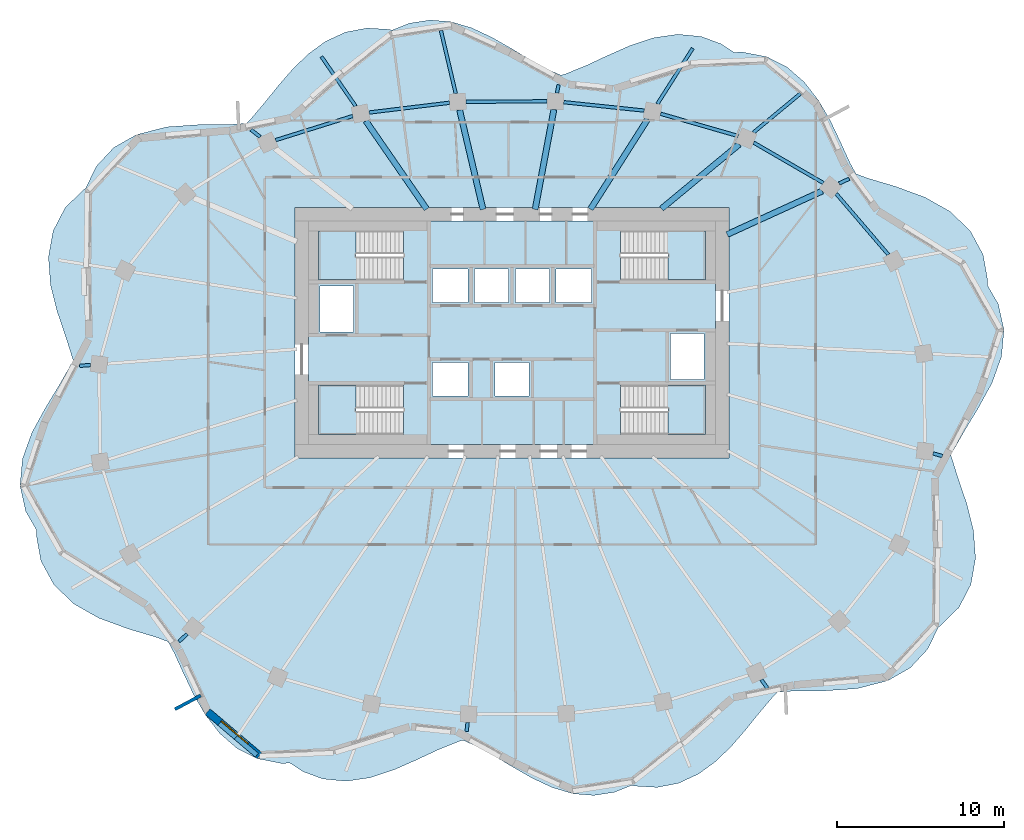
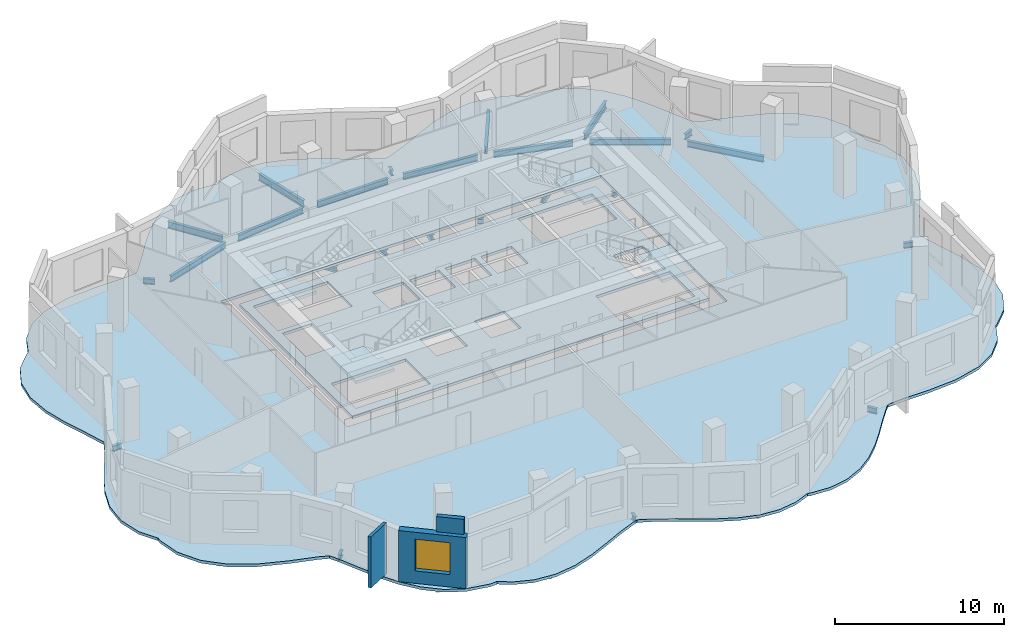
# One storey, part 2 of 9: 25 beams, 6 slabs, 3 walls, 1 window, 1 opening, 4 elements without a shape of their own.
"""IFC4 building model written with IfcOpenShell, lengths in metres."""

from ifc_helpers import new_model, si_unit, direction, frame, frame_2d, origin, origin_2d, place, context, subcontext, project, spatial, polyline, rectangle, i_section, outline, extrude, material, layer, layer_set, material_profile, profile_set, type_object, element, fill, aggregate, save


model = new_model("IFC4")

# Units and contexts
model_context = context("Model", 3, precision=1e-05, world=origin(), true_north=direction((0.0, 1.0)))
body_context = subcontext(model_context, "Body", "Model", "MODEL_VIEW")
ifc_project = project(units=[si_unit("LENGTHUNIT", "METRE"), si_unit("AREAUNIT", "SQUARE_METRE"), si_unit("VOLUMEUNIT", "CUBIC_METRE"), si_unit("PLANEANGLEUNIT", "RADIAN"), si_unit("MASSUNIT", "GRAM", prefix="KILO")], contexts=[model_context])

# Site, building, storey
site_placement = place(None, origin())
site = spatial("IfcSite", under=ifc_project, at=site_placement, CompositionType="ELEMENT")
building_placement = place(site_placement, origin())
building = spatial("IfcBuilding", under=site, at=building_placement, Name="Rubra Terraces Tower", CompositionType="ELEMENT")
storey_placement = place(building_placement, frame((0.0, 0.0, 225.300048828125)))
storey = spatial("IfcBuildingStorey", under=building, at=storey_placement, Name="L55", CompositionType="ELEMENT", Elevation=225.300048828125)

# Beams
ifc_material_1 = material(Name="Steel Q355B", Category="steel")
ifc_material_profile_1 = material_profile(ifc_material_1, i_section(OverallWidth=0.198974609375, OverallDepth=0.49609375, WebThickness=0.009033203125, FlangeThickness=0.013916015625, at=origin_2d()), Name="HN 496x199x9x14")
ifc_profile_set_1 = profile_set([ifc_material_profile_1], Name="Steel Q355B")
beam_type_1 = type_object("IfcBeamType", Name="CANTILEVER BEAM HN 496x199x9x14", PredefinedType="BEAM", material=ifc_profile_set_1)
beam_1_placement = place(storey_placement, frame((14.47509765625, 16.4951171875, -0.447998046875), z_axis=(0.76992389312, 0.638135721303, 0.0), x_axis=(-0.638135721303, 0.76992389312, 0.0)))
element("IfcBeam", 1, at=beam_1_placement, inside=storey, type_object=beam_type_1, Name="beam-L55-cant-04", PredefinedType="BEAM", context=body_context, shape_type="SweptSolid", body=[
    extrude(i_section(OverallWidth=0.198974609375, OverallDepth=0.49609375, WebThickness=0.009033203125, FlangeThickness=0.013916015625, at=origin_2d()), origin(), (0.0, 0.0, 1.0), 3.6494140625),
])
beam_2_placement = place(storey_placement, frame((8.7099609375, 18.201904296875, -0.447998046875), z_axis=(0.536427545347, 0.843946377795, 0.0), x_axis=(-0.843946377795, 0.536427545347, 0.0)))
element("IfcBeam", 2, at=beam_2_placement, inside=storey, type_object=beam_type_1, Name="beam-L55-cant-05", PredefinedType="BEAM", context=body_context, shape_type="SweptSolid", body=[
    extrude(i_section(OverallWidth=0.198974609375, OverallDepth=0.49609375, WebThickness=0.009033203125, FlangeThickness=0.013916015625, at=origin_2d()), origin(), (0.0, 0.0, 1.0), 3.950439453125),
])
beam_3_placement = place(storey_placement, frame((-3.3701171875, 18.823974609375, -0.447998046875), z_axis=(-0.228972734486, 0.973432836338, 0.0), x_axis=(-0.973432836338, -0.228972734486, 0.0)))
element("IfcBeam", 3, at=beam_3_placement, inside=storey, type_object=beam_type_1, Name="beam-L55-cant-07", PredefinedType="BEAM", context=body_context, shape_type="SweptSolid", body=[
    extrude(i_section(OverallWidth=0.198974609375, OverallDepth=0.49609375, WebThickness=0.009033203125, FlangeThickness=0.013916015625, at=origin_2d()), origin(), (0.0, 0.0, 1.0), 3.882080078125),
])
beam_4_placement = place(storey_placement, frame((-9.3701171875, 18.070068359375, -0.447998046875), z_axis=(-0.56822135663, 0.822875743882, 0.0), x_axis=(-0.822875743882, -0.56822135663, 0.0)))
element("IfcBeam", 4, at=beam_4_placement, inside=storey, type_object=beam_type_1, Name="beam-L55-cant-08", PredefinedType="BEAM", context=body_context, shape_type="SweptSolid", body=[
    extrude(i_section(OverallWidth=0.198974609375, OverallDepth=0.49609375, WebThickness=0.009033203125, FlangeThickness=0.013916015625, at=origin_2d()), origin(), (0.0, 0.0, 1.0), 3.59716796875),
])
ifc_material_profile_2 = material_profile(ifc_material_1, i_section(OverallWidth=0.199951171875, OverallDepth=0.39990234375, WebThickness=0.008056640625, FlangeThickness=0.012939453125, at=origin_2d()), Name="HN 400x200x8x13")
ifc_profile_set_2 = profile_set([ifc_material_profile_2], Name="Steel Q355B")
beam_type_2 = type_object("IfcBeamType", Name="CANTILEVER STUB HN 400x200x8x13", PredefinedType="BEAM", material=ifc_profile_set_2)
beam_5_placement = place(storey_placement, frame((19.596923828125, 13.43896484375, -0.400146484375), z_axis=(0.909470504051, 0.415768447891, 0.0), x_axis=(-0.415768447891, 0.909470504051, 0.0)))
element("IfcBeam", 5, at=beam_5_placement, inside=storey, type_object=beam_type_2, Name="beam-L55-cant-03", PredefinedType="BEAM", context=body_context, shape_type="SweptSolid", body=[
    extrude(i_section(OverallWidth=0.199951171875, OverallDepth=0.39990234375, WebThickness=0.008056640625, FlangeThickness=0.012939453125, at=origin_2d()), origin(), (0.0, 0.0, 1.0), 0.6640625),
])
beam_6_placement = place(storey_placement, frame((2.695068359375, 18.85400390625, -0.400146484375), z_axis=(0.185434461411, 0.98265663409, 0.0), x_axis=(-0.98265663409, 0.185434461411, 0.0)))
element("IfcBeam", 6, at=beam_6_placement, inside=storey, type_object=beam_type_2, Name="beam-L55-cant-06", PredefinedType="BEAM", context=body_context, shape_type="SweptSolid", body=[
    extrude(i_section(OverallWidth=0.199951171875, OverallDepth=0.39990234375, WebThickness=0.008056640625, FlangeThickness=0.012939453125, at=origin_2d()), origin(), (0.0, 0.0, 1.0), 0.501708984375),
])
beam_7_placement = place(storey_placement, frame((-15.087890625, 16.22705078125, -0.400146484375), z_axis=(-0.78939001545, 0.613892012904, 0.0), x_axis=(-0.613892012904, -0.78939001545, 0.0)))
element("IfcBeam", 7, at=beam_7_placement, inside=storey, type_object=beam_type_2, Name="beam-L55-cant-09", PredefinedType="BEAM", context=body_context, shape_type="SweptSolid", body=[
    extrude(i_section(OverallWidth=0.199951171875, OverallDepth=0.39990234375, WebThickness=0.008056640625, FlangeThickness=0.012939453125, at=origin_2d()), origin(), (0.0, 0.0, 1.0), 0.695556640625),
])
beam_8_placement = place(storey_placement, frame((-25.251953125, 2.56005859375, -0.400146484375), z_axis=(-0.997039019629, -0.076897290829, 0.0), x_axis=(0.076897290829, -0.997039019629, 0.0)))
element("IfcBeam", 8, at=beam_8_placement, inside=storey, type_object=beam_type_2, Name="beam-L55-cant-12", PredefinedType="BEAM", context=body_context, shape_type="SweptSolid", body=[
    extrude(i_section(OverallWidth=0.199951171875, OverallDepth=0.39990234375, WebThickness=0.008056640625, FlangeThickness=0.012939453125, at=origin_2d()), origin(), (0.0, 0.0, 1.0), 0.65087890625),
])
beam_9_placement = place(storey_placement, frame((-19.4619140625, -13.552001953125, -0.400146484375), z_axis=(-0.733015476534, -0.680211960466, 0.0), x_axis=(0.680211960466, -0.733015476534, 0.0)))
element("IfcBeam", 9, at=beam_9_placement, inside=storey, type_object=beam_type_2, Name="beam-L55-cant-15", PredefinedType="BEAM", context=body_context, shape_type="SweptSolid", body=[
    extrude(i_section(OverallWidth=0.199951171875, OverallDepth=0.39990234375, WebThickness=0.008056640625, FlangeThickness=0.012939453125, at=origin_2d()), origin(), (0.0, 0.0, 1.0), 0.665771484375),
])
beam_10_placement = place(storey_placement, frame((-2.658935546875, -18.85595703125, -0.400146484375), z_axis=(-0.113572215797, -0.993529743792, 0.0), x_axis=(0.993529743792, -0.113572215797, 0.0)))
element("IfcBeam", 10, at=beam_10_placement, inside=storey, type_object=beam_type_2, Name="beam-L55-cant-18", PredefinedType="BEAM", context=body_context, shape_type="SweptSolid", body=[
    extrude(i_section(OverallWidth=0.199951171875, OverallDepth=0.39990234375, WebThickness=0.008056640625, FlangeThickness=0.012939453125, at=origin_2d()), origin(), (0.0, 0.0, 1.0), 0.537353515625),
])
beam_11_placement = place(storey_placement, frame((14.93994140625, -16.294921875, -0.400146484375), z_axis=(0.583740356703, -0.81194038941, 0.0), x_axis=(0.81194038941, 0.583740356703, 0.0)))
element("IfcBeam", 11, at=beam_11_placement, inside=storey, type_object=beam_type_2, Name="beam-L55-cant-21", PredefinedType="BEAM", context=body_context, shape_type="SweptSolid", body=[
    extrude(i_section(OverallWidth=0.199951171875, OverallDepth=0.39990234375, WebThickness=0.008056640625, FlangeThickness=0.012939453125, at=origin_2d()), origin(), (0.0, 0.0, 1.0), 0.626953125),
])
beam_12_placement = place(storey_placement, frame((25.22900390625, -2.738037109375, -0.400146484375), z_axis=(0.961157373545, -0.276000911737, 0.0), x_axis=(0.276000911737, 0.961157373545, 0.0)))
element("IfcBeam", 12, at=beam_12_placement, inside=storey, type_object=beam_type_2, Name="beam-L55-cant-24", PredefinedType="BEAM", context=body_context, shape_type="SweptSolid", body=[
    extrude(i_section(OverallWidth=0.199951171875, OverallDepth=0.39990234375, WebThickness=0.008056640625, FlangeThickness=0.012939453125, at=origin_2d()), origin(), (0.0, 0.0, 1.0), 0.579345703125),
])
ifc_material_profile_3 = material_profile(ifc_material_1, i_section(OverallWidth=0.35009765625, OverallDepth=0.35009765625, WebThickness=0.011962890625, FlangeThickness=0.01904296875, at=origin_2d()), Name="HW 350x350x12x19")
ifc_profile_set_3 = profile_set([ifc_material_profile_3], Name="Steel Q355B")
beam_type_3 = type_object("IfcBeamType", Name="FLOOR BEAM HW 350x350x12x19", PredefinedType="BEAM", material=ifc_profile_set_3)
beam_13_placement = place(storey_placement, frame((18.5869140625, 12.97900390625, -0.375), z_axis=(-0.909756526533, -0.415142219523, 0.0), x_axis=(0.415142219523, -0.909756526533, 0.0)))
element("IfcBeam", 13, at=beam_13_placement, inside=storey, type_object=beam_type_3, Name="beam-L55-floor-03", PredefinedType="BEAM", context=body_context, shape_type="SweptSolid", body=[
    extrude(i_section(OverallWidth=0.35009765625, OverallDepth=0.35009765625, WebThickness=0.011962890625, FlangeThickness=0.01904296875, at=origin_2d()), origin(), (0.0, 0.0, 1.0), 6.2607421875),
])
beam_14_placement = place(storey_placement, frame((13.60888671875, 15.777099609375, -0.375), z_axis=(-0.769987518392, -0.638058948312, 0.0), x_axis=(0.638058948312, -0.769987518392, 0.0)))
element("IfcBeam", 14, at=beam_14_placement, inside=storey, type_object=beam_type_3, Name="beam-L55-floor-04", PredefinedType="BEAM", context=body_context, shape_type="SweptSolid", body=[
    extrude(i_section(OverallWidth=0.35009765625, OverallDepth=0.35009765625, WebThickness=0.011962890625, FlangeThickness=0.01904296875, at=origin_2d()), origin(), (0.0, 0.0, 1.0), 6.040283203125),
])
beam_15_placement = place(storey_placement, frame((8.134033203125, 17.2958984375, -0.375), z_axis=(-0.536509861106, -0.843894050776, 0.0), x_axis=(0.843894050776, -0.536509861106, 0.0)))
element("IfcBeam", 15, at=beam_15_placement, inside=storey, type_object=beam_type_3, Name="beam-L55-floor-05", PredefinedType="BEAM", context=body_context, shape_type="SweptSolid", body=[
    extrude(i_section(OverallWidth=0.35009765625, OverallDepth=0.35009765625, WebThickness=0.011962890625, FlangeThickness=0.01904296875, at=origin_2d()), origin(), (0.0, 0.0, 1.0), 6.395263671875),
])
beam_16_placement = place(storey_placement, frame((2.509033203125, 17.862060546875, -0.375), z_axis=(-0.184574398021, -0.982818544593, 0.0), x_axis=(0.982818544593, -0.184574398021, 0.0)))
element("IfcBeam", 16, at=beam_16_placement, inside=storey, type_object=beam_type_3, Name="beam-L55-floor-06", PredefinedType="BEAM", context=body_context, shape_type="SweptSolid", body=[
    extrude(i_section(OverallWidth=0.35009765625, OverallDepth=0.35009765625, WebThickness=0.011962890625, FlangeThickness=0.01904296875, at=origin_2d()), origin(), (0.0, 0.0, 1.0), 6.08447265625),
])
beam_17_placement = place(storey_placement, frame((-3.137939453125, 17.8359375, -0.375), z_axis=(0.229070485592, -0.973409837957, 0.0), x_axis=(0.973409837957, 0.229070485592, 0.0)))
element("IfcBeam", 17, at=beam_17_placement, inside=storey, type_object=beam_type_3, Name="beam-L55-floor-07", PredefinedType="BEAM", context=body_context, shape_type="SweptSolid", body=[
    extrude(i_section(OverallWidth=0.35009765625, OverallDepth=0.35009765625, WebThickness=0.011962890625, FlangeThickness=0.01904296875, at=origin_2d()), origin(), (0.0, 0.0, 1.0), 6.115478515625),
])
beam_18_placement = place(storey_placement, frame((-8.756103515625, 17.179931640625, -0.375), z_axis=(0.568186422001, -0.822899866238, 0.0), x_axis=(0.822899866238, 0.568186422001, 0.0)))
element("IfcBeam", 18, at=beam_18_placement, inside=storey, type_object=beam_type_3, Name="beam-L55-floor-08", PredefinedType="BEAM", context=body_context, shape_type="SweptSolid", body=[
    extrude(i_section(OverallWidth=0.35009765625, OverallDepth=0.35009765625, WebThickness=0.011962890625, FlangeThickness=0.01904296875, at=origin_2d()), origin(), (0.0, 0.0, 1.0), 6.415283203125),
])
ifc_material_profile_4 = material_profile(ifc_material_1, i_section(OverallWidth=0.198974609375, OverallDepth=0.446044921875, WebThickness=0.008056640625, FlangeThickness=0.011962890625, at=origin_2d()), Name="HN 446x199x8x12")
ifc_profile_set_4 = profile_set([ifc_material_profile_4], Name="Steel Q355B")
beam_type_4 = type_object("IfcBeamType", Name="SPANDREL BEAM HN 446x199x8x12", PredefinedType="SPANDREL", material=ifc_profile_set_4)
beam_19_placement = place(storey_placement, frame((22.547119140625, 9.174072265625, -0.423095703125), z_axis=(-0.650372836218, 0.759615148552, 0.0), x_axis=(-0.759615148552, -0.650372836218, 0.0)))
element("IfcBeam", 19, at=beam_19_placement, inside=storey, type_object=beam_type_4, Name="beam-L55-spandrel-02", PredefinedType="SPANDREL", context=body_context, shape_type="SweptSolid", body=[
    extrude(i_section(OverallWidth=0.198974609375, OverallDepth=0.446044921875, WebThickness=0.008056640625, FlangeThickness=0.011962890625, at=origin_2d()), origin(), (0.0, 0.0, 1.0), 4.804931640625),
])
beam_20_placement = place(storey_placement, frame((18.653076171875, 13.462890625, -0.423095703125), z_axis=(-0.865153680787, 0.501506838059, 0.0), x_axis=(-0.501506838059, -0.865153680787, 0.0)))
element("IfcBeam", 20, at=beam_20_placement, inside=storey, type_object=beam_type_4, Name="beam-L55-spandrel-03", PredefinedType="SPANDREL", context=body_context, shape_type="SweptSolid", body=[
    extrude(i_section(OverallWidth=0.198974609375, OverallDepth=0.446044921875, WebThickness=0.008056640625, FlangeThickness=0.011962890625, at=origin_2d()), origin(), (0.0, 0.0, 1.0), 4.82568359375),
])
beam_21_placement = place(storey_placement, frame((13.55810546875, 16.27490234375, -0.423095703125), z_axis=(-0.961171164323, 0.275952881621, 0.0), x_axis=(-0.275952881621, -0.961171164323, 0.0)))
element("IfcBeam", 21, at=beam_21_placement, inside=storey, type_object=beam_type_4, Name="beam-L55-spandrel-04", PredefinedType="SPANDREL", context=body_context, shape_type="SweptSolid", body=[
    extrude(i_section(OverallWidth=0.198974609375, OverallDepth=0.446044921875, WebThickness=0.008056640625, FlangeThickness=0.011962890625, at=origin_2d()), origin(), (0.0, 0.0, 1.0), 4.842041015625),
])
beam_22_placement = place(storey_placement, frame((7.923095703125, 17.801025390625, -0.423095703125), z_axis=(-0.994565426955, 0.104113454971, 0.0), x_axis=(-0.104113454971, -0.994565426955, 0.0)))
element("IfcBeam", 22, at=beam_22_placement, inside=storey, type_object=beam_type_4, Name="beam-L55-spandrel-05", PredefinedType="SPANDREL", context=body_context, shape_type="SweptSolid", body=[
    extrude(i_section(OverallWidth=0.198974609375, OverallDepth=0.446044921875, WebThickness=0.008056640625, FlangeThickness=0.011962890625, at=origin_2d()), origin(), (0.0, 0.0, 1.0), 4.849365234375),
])
beam_23_placement = place(storey_placement, frame((2.10107421875, 18.35595703125, -0.423095703125), z_axis=(-0.999987852299, -0.004929021704, 0.0), x_axis=(0.004929021704, -0.999987852299, 0.0)))
element("IfcBeam", 23, at=beam_23_placement, inside=storey, type_object=beam_type_4, Name="beam-L55-spandrel-06", PredefinedType="SPANDREL", context=body_context, shape_type="SweptSolid", body=[
    extrude(i_section(OverallWidth=0.198974609375, OverallDepth=0.446044921875, WebThickness=0.008056640625, FlangeThickness=0.011962890625, at=origin_2d()), origin(), (0.0, 0.0, 1.0), 4.85400390625),
])
beam_24_placement = place(storey_placement, frame((-3.7509765625, 18.27001953125, -0.423095703125), z_axis=(-0.992698018573, -0.120626049929, 0.0), x_axis=(0.120626049929, -0.992698018573, 0.0)))
element("IfcBeam", 24, at=beam_24_placement, inside=storey, type_object=beam_type_4, Name="beam-L55-spandrel-07", PredefinedType="SPANDREL", context=body_context, shape_type="SweptSolid", body=[
    extrude(i_section(OverallWidth=0.198974609375, OverallDepth=0.446044921875, WebThickness=0.008056640625, FlangeThickness=0.011962890625, at=origin_2d()), origin(), (0.0, 0.0, 1.0), 4.849365234375),
])
beam_25_placement = place(storey_placement, frame((-9.5419921875, 17.47509765625, -0.423095703125), z_axis=(-0.954462027342, -0.298332429282, 0.0), x_axis=(0.298332429282, -0.954462027342, 0.0)))
element("IfcBeam", 25, at=beam_25_placement, inside=storey, type_object=beam_type_4, Name="beam-L55-spandrel-08", PredefinedType="SPANDREL", context=body_context, shape_type="SweptSolid", body=[
    extrude(i_section(OverallWidth=0.198974609375, OverallDepth=0.446044921875, WebThickness=0.008056640625, FlangeThickness=0.011962890625, at=origin_2d()), origin(), (0.0, 0.0, 1.0), 4.840576171875),
])

# Slab
ifc_material_2 = material(Name="Concrete C40", Category="concrete")
ifc_layer_1 = layer(ifc_material_2, 0.199951171875)
ifc_layer_set_1 = layer_set([ifc_layer_1], Name="Concrete C40")
slab_type_1 = type_object("IfcSlabType", Name="Core floor slab 200 concrete", PredefinedType="FLOOR", material=ifc_layer_set_1)
slab_1_placement = place(storey_placement, frame((0.0, 0.0, -0.199951171875)))
element("IfcSlab", 26, at=slab_1_placement, inside=storey, type_object=slab_type_1, Name="CORE FLOOR SLAB L55", PredefinedType="FLOOR", context=body_context, shape_type="SweptSolid", body=[
    extrude(outline(polyline([(-12.199951171875, -2.199951171875), (-12.199951171875, 11.199951171875), (12.199951171875, 11.199951171875), (12.199951171875, -2.199951171875), (-12.199951171875, -2.199951171875)]), holes=[polyline([(11.597900390625, 1.347900390625), (6.501953125, 1.347900390625), (6.501953125, -1.597900390625), (11.597900390625, -1.597900390625), (11.597900390625, 1.347900390625)]), polyline([(11.597900390625, 7.652099609375), (11.597900390625, 10.597900390625), (6.501953125, 10.597900390625), (6.501953125, 7.652099609375), (11.597900390625, 7.652099609375)]), polyline([(9.5, 1.699951171875), (11.5, 1.699951171875), (11.5, 4.449951171875), (9.5, 4.449951171875), (9.5, 1.699951171875)]), polyline([(4.75, 6.300048828125), (4.75, 8.300048828125), (2.64990234375, 8.300048828125), (2.64990234375, 6.300048828125), (4.75, 6.300048828125)]), polyline([(2.25, 8.300048828125), (0.199951171875, 8.300048828125), (0.199951171875, 6.300048828125), (2.25, 6.300048828125), (2.25, 8.300048828125)]), polyline([(1.02490234375, 0.699951171875), (1.02490234375, 2.699951171875), (-1.02490234375, 2.699951171875), (-1.02490234375, 0.699951171875), (1.02490234375, 0.699951171875)]), polyline([(-0.199951171875, 6.300048828125), (-0.199951171875, 8.300048828125), (-2.25, 8.300048828125), (-2.25, 6.300048828125), (-0.199951171875, 6.300048828125)]), polyline([(-4.75, 8.300048828125), (-4.75, 6.300048828125), (-2.64990234375, 6.300048828125), (-2.64990234375, 8.300048828125), (-4.75, 8.300048828125)]), polyline([(-2.64990234375, 0.699951171875), (-2.64990234375, 2.699951171875), (-4.75, 2.699951171875), (-4.75, 0.699951171875), (-2.64990234375, 0.699951171875)]), polyline([(-11.597900390625, -1.597900390625), (-6.501953125, -1.597900390625), (-6.501953125, 1.347900390625), (-11.597900390625, 1.347900390625), (-11.597900390625, -1.597900390625)]), polyline([(-11.597900390625, 10.597900390625), (-11.597900390625, 7.652099609375), (-6.501953125, 7.652099609375), (-6.501953125, 10.597900390625), (-11.597900390625, 10.597900390625)]), polyline([(-9.5, 4.550048828125), (-9.5, 7.300048828125), (-11.5, 7.300048828125), (-11.5, 4.550048828125), (-9.5, 4.550048828125)])]), origin(), (0.0, 0.0, 1.0), 0.199951171875),
])

# Stair, slab
stair_type = type_object("IfcStairType", Name="Core stair 1400", PredefinedType="HALF_TURN_STAIR", material=ifc_material_2)
stair_1_placement = place(storey_placement, origin())
stair_1 = element("IfcStair", 27, at=stair_1_placement, inside=storey, type_object=stair_type, Name="L55 Exit stair S1", PredefinedType="HALF_TURN_STAIR")
ifc_layer_2 = layer(ifc_material_2, 0.199951171875)
ifc_layer_set_2 = layer_set([ifc_layer_2], Name="Concrete C40")
slab_type_2 = type_object("IfcSlabType", Name="Core stair landing 200", PredefinedType="LANDING", material=ifc_layer_set_2)
slab_2_placement = place(storey_placement, frame((0.0, 0.0, 1.75)))
slab_2 = element("IfcSlab", 28, at=slab_2_placement, type_object=slab_type_2, Name="S1 landing 1", PredefinedType="LANDING", context=body_context, shape_type="SweptSolid", body=[
    extrude(outline(polyline([(-8.97998046875, -0.199951171875), (-8.97998046875, -1.60009765625), (-9.360107421875, -1.60009765625), (-9.3798828125, -1.60009765625), (-11.60009765625, -1.60009765625), (-11.60009765625, 1.35009765625), (-9.3798828125, 1.35009765625), (-9.35791015625, 1.35009765625), (-9.35791015625, -0.050048828125), (-9.360107421875, -0.050048828125), (-9.360107421875, -0.199951171875), (-8.97998046875, -0.199951171875)])), origin(), (0.0, 0.0, 1.0), 0.199951171875),
])
aggregate(stair_1, [slab_2])

stair_2_placement = place(storey_placement, origin())
stair_2 = element("IfcStair", 29, at=stair_2_placement, inside=storey, type_object=stair_type, Name="L55 Exit stair S2", PredefinedType="HALF_TURN_STAIR")
slab_3_placement = place(storey_placement, frame((0.0, 0.0, 1.75)))
slab_3 = element("IfcSlab", 30, at=slab_3_placement, type_object=slab_type_2, Name="S2 landing 1", PredefinedType="LANDING", context=body_context, shape_type="SweptSolid", body=[
    extrude(outline(polyline([(-8.97998046875, 9.050048828125), (-8.97998046875, 7.64990234375), (-9.3798828125, 7.64990234375), (-11.60009765625, 7.64990234375), (-11.60009765625, 10.60009765625), (-9.3798828125, 10.60009765625), (-9.360107421875, 10.60009765625), (-9.35791015625, 10.60009765625), (-9.35791015625, 9.199951171875), (-9.360107421875, 9.199951171875), (-9.360107421875, 9.050048828125), (-8.97998046875, 9.050048828125)])), origin(), (0.0, 0.0, 1.0), 0.199951171875),
])
aggregate(stair_2, [slab_3])

stair_3_placement = place(storey_placement, origin())
stair_3 = element("IfcStair", 31, at=stair_3_placement, inside=storey, type_object=stair_type, Name="L55 Exit stair S3", PredefinedType="HALF_TURN_STAIR")
slab_4_placement = place(storey_placement, frame((0.0, 0.0, 1.75)))
slab_4 = element("IfcSlab", 32, at=slab_4_placement, type_object=slab_type_2, Name="S3 landing 1", PredefinedType="LANDING", context=body_context, shape_type="SweptSolid", body=[
    extrude(outline(polyline([(9.360107421875, 9.050048828125), (9.360107421875, 9.199951171875), (8.97998046875, 9.199951171875), (8.97998046875, 10.60009765625), (9.360107421875, 10.60009765625), (9.3798828125, 10.60009765625), (11.60009765625, 10.60009765625), (11.60009765625, 7.64990234375), (9.3798828125, 7.64990234375), (9.35791015625, 7.64990234375), (9.35791015625, 9.050048828125), (9.360107421875, 9.050048828125)])), origin(), (0.0, 0.0, 1.0), 0.199951171875),
])
aggregate(stair_3, [slab_4])

stair_4_placement = place(storey_placement, origin())
stair_4 = element("IfcStair", 33, at=stair_4_placement, inside=storey, type_object=stair_type, Name="L55 Exit stair S4", PredefinedType="HALF_TURN_STAIR")
slab_5_placement = place(storey_placement, frame((0.0, 0.0, 1.75)))
slab_5 = element("IfcSlab", 34, at=slab_5_placement, type_object=slab_type_2, Name="S4 landing 1", PredefinedType="LANDING", context=body_context, shape_type="SweptSolid", body=[
    extrude(outline(polyline([(9.360107421875, -0.199951171875), (9.360107421875, -0.050048828125), (8.97998046875, -0.050048828125), (8.97998046875, 1.35009765625), (9.360107421875, 1.35009765625), (9.3798828125, 1.35009765625), (11.60009765625, 1.35009765625), (11.60009765625, -1.60009765625), (9.3798828125, -1.60009765625), (9.360107421875, -1.60009765625), (9.35791015625, -1.60009765625), (9.35791015625, -0.199951171875), (9.360107421875, -0.199951171875)])), origin(), (0.0, 0.0, 1.0), 0.199951171875),
])
aggregate(stair_4, [slab_5])

# Slab
ifc_layer_3 = layer(ifc_material_2, 0.199951171875)
ifc_layer_set_3 = layer_set([ifc_layer_3], Name="Concrete C40")
slab_type_3 = type_object("IfcSlabType", Name="FLOOR SLAB 200 COMPOSITE", PredefinedType="FLOOR", material=ifc_layer_set_3)
slab_6_placement = place(storey_placement, frame((0.0, 0.0, -0.199951171875)))
element("IfcSlab", 35, at=slab_6_placement, inside=storey, type_object=slab_type_3, Name="FLOOR SLAB L55", PredefinedType="FLOOR", context=body_context, shape_type="SweptSolid", body=[
    extrude(outline(polyline([(-7.0458984375, -21.68603515625), (-5.712890625, -21.096923828125), (-4.419921875, -20.491943359375), (-3.1650390625, -19.985107421875), (-2.930908203125, -19.922119140625), (-2.111083984375, -20.2900390625), (-1.06494140625, -20.866943359375), (0.0, -21.5), (1.199951171875, -22.18798828125), (2.422119140625, -22.759033203125), (3.6630859375, -23.126953125), (4.908935546875, -23.22900390625), (6.138916015625, -23.037109375), (7.18505859375, -22.618896484375), (7.364990234375, -22.66796875), (8.68798828125, -22.74609375), (9.969970703125, -22.5029296875), (11.180908203125, -21.943115234375), (12.205078125, -21.195068359375), (13.14599609375, -20.282958984375), (14.010986328125, -19.284912109375), (14.845947265625, -18.2490234375), (15.655029296875, -17.29296875), (15.9169921875, -17.033935546875), (16.968017578125, -16.968017578125), (18.7890625, -16.9580078125), (20.68994140625, -16.824951171875), (22.510009765625, -16.35498046875), (23.864990234375, -15.5810546875), (24.9140625, -14.4560546875), (25.544921875, -13.14208984375), (25.6650390625, -13.076904296875), (26.780029296875, -11.968994140625), (27.4951171875, -10.587890625), (27.77197265625, -9.02392578125), (27.65087890625, -7.37109375), (27.2470703125, -5.7529296875), (26.73095703125, -4.23388671875), (26.2939453125, -2.844970703125), (26.31689453125, -2.7880859375), (27.0791015625, -1.43603515625), (27.949951171875, 0.0), (28.764892578125, 1.492919921875), (29.327880859375, 3.06201171875), (29.47607421875, 4.6689453125), (29.134033203125, 6.214111328125), (28.47607421875, 7.347900390625), (28.501953125, 7.617919921875), (28.22607421875, 9.1708984375), (27.449951171875, 10.60400390625), (26.242919921875, 11.759033203125), (24.7470703125, 12.60888671875), (22.95703125, 13.262939453125), (21.2451171875, 13.77197265625), (20.60009765625, 14.02099609375), (20.235107421875, 14.701904296875), (19.68896484375, 15.89990234375), (19.091064453125, 17.156982421875), (18.384033203125, 18.384033203125), (17.507080078125, 19.51708984375), (16.466064453125, 20.4189453125), (15.27392578125, 21.02294921875), (13.781005859375, 21.31494140625), (13.30810546875, 21.284912109375), (12.529052734375, 21.798095703125), (11.3330078125, 22.240966796875), (9.931884765625, 22.3759765625), (8.489013671875, 22.1650390625), (7.0458984375, 21.68603515625), (5.712890625, 21.096923828125), (4.419921875, 20.491943359375), (3.1650390625, 19.985107421875), (2.930908203125, 19.922119140625), (2.111083984375, 20.2900390625), (1.06494140625, 20.866943359375), (0.0, 21.5), (-1.199951171875, 22.18798828125), (-2.422119140625, 22.759033203125), (-3.6630859375, 23.126953125), (-4.908935546875, 23.22900390625), (-6.138916015625, 23.037109375), (-7.18505859375, 22.618896484375), (-7.364990234375, 22.66796875), (-8.68798828125, 22.74609375), (-9.969970703125, 22.5029296875), (-11.180908203125, 21.943115234375), (-12.205078125, 21.195068359375), (-13.14599609375, 20.282958984375), (-14.010986328125, 19.284912109375), (-14.845947265625, 18.2490234375), (-15.655029296875, 17.29296875), (-15.9169921875, 17.033935546875), (-16.968017578125, 16.968017578125), (-18.7890625, 16.9580078125), (-20.68994140625, 16.824951171875), (-22.510009765625, 16.35498046875), (-23.864990234375, 15.5810546875), (-24.9140625, 14.4560546875), (-25.544921875, 13.14208984375), (-25.6650390625, 13.076904296875), (-26.780029296875, 11.968994140625), (-27.4951171875, 10.587890625), (-27.77197265625, 9.02392578125), (-27.65087890625, 7.37109375), (-27.2470703125, 5.7529296875), (-26.73095703125, 4.23388671875), (-26.2939453125, 2.844970703125), (-26.31689453125, 2.7880859375), (-27.0791015625, 1.43603515625), (-27.949951171875, 0.0), (-28.764892578125, -1.492919921875), (-29.327880859375, -3.06201171875), (-29.47607421875, -4.6689453125), (-29.134033203125, -6.214111328125), (-28.47607421875, -7.347900390625), (-28.501953125, -7.617919921875), (-28.22607421875, -9.1708984375), (-27.449951171875, -10.60400390625), (-26.242919921875, -11.759033203125), (-24.7470703125, -12.60888671875), (-22.95703125, -13.262939453125), (-21.2451171875, -13.77197265625), (-20.60009765625, -14.02099609375), (-20.235107421875, -14.701904296875), (-19.68896484375, -15.89990234375), (-19.091064453125, -17.156982421875), (-18.384033203125, -18.384033203125), (-17.507080078125, -19.51708984375), (-16.466064453125, -20.4189453125), (-15.27392578125, -21.02294921875), (-13.781005859375, -21.31494140625), (-13.30810546875, -21.284912109375), (-12.529052734375, -21.798095703125), (-11.3330078125, -22.240966796875), (-9.931884765625, -22.3759765625), (-8.489013671875, -22.1650390625), (-7.0458984375, -21.68603515625)]), holes=[polyline([(13.0, 12.0), (13.0, -3.0), (-13.0, -3.0), (-13.0, 12.0), (13.0, 12.0)])]), origin(), (0.0, 0.0, 1.0), 0.199951171875),
])

# Wall, opening, window
ifc_material_3 = material(Name="Brick masonry red-brown", Category="masonry")
ifc_layer_4 = layer(ifc_material_3, 0.449951171875)
ifc_layer_set_4 = layer_set([ifc_layer_4], Name="Brick masonry red-brown")
wall_type_1 = type_object("IfcWallType", Name="Brick facade wall 450", PredefinedType="SOLIDWALL", material=ifc_layer_set_4)
wall_1_placement = place(storey_placement, frame((-18.23828125, -18.21240234375, 0.0), z_axis=(0.0, 0.0, 1.0), x_axis=(0.762479604733, -0.647012250554, 0.0)))
wall_1 = element("IfcWall", 36, at=wall_1_placement, inside=storey, type_object=wall_type_1, Name="Facade wall L55 bay 26", PredefinedType="SOLIDWALL", context=body_context, shape_type="SweptSolid", body=[
    extrude(rectangle(XDim=4.07861328125, YDim=0.449951171875, at=frame_2d((2.039306640625, 0.0))), origin(), (0.0, 0.0, 1.0), 3.699951171875),
])
opening_placement = place(wall_1_placement, frame((0.989501953125, 0.0, 0.89990234375)))
opening = element("IfcOpeningElement", 37, at=opening_placement, cuts=wall_1, Name="Opening W1B", PredefinedType="OPENING", context=body_context, shape_type="SweptSolid", body=[
    extrude(rectangle(XDim=2.10009765625, YDim=2.300048828125, at=frame_2d((1.050048828125, 1.14990234375))), frame((0.0, 0.23486328125, 0.0), z_axis=(0.0, -1.0, 0.0), x_axis=(1.0, 0.0, 0.0)), (0.0, 0.0, 1.0), 0.469970703125),
])
ifc_material_4 = material(Name="Clear glass in aluminium frame", Category="aluminium")
window_type = type_object("IfcWindowType", Name="Fixed deep-set window tall storey 2100 x 2300", PartitioningType="SINGLE_PANEL", PredefinedType="WINDOW", material=ifc_material_4)
window_placement = place(opening_placement, origin())
window = element("IfcWindow", 38, at=window_placement, inside=storey, type_object=window_type, Name="Window L55 bay 26", OverallHeight=2.300048828125, OverallWidth=2.10009765625, PartitioningType="SINGLE_PANEL", PredefinedType="WINDOW", context=body_context, shape_type="SweptSolid", body=[
    extrude(rectangle(XDim=2.10009765625, YDim=2.300048828125, at=frame_2d((1.050048828125, 1.14990234375))), frame((0.0, 0.135009765625, 0.0), z_axis=(0.0, -1.0, 0.0), x_axis=(1.0, 0.0, 0.0)), (0.0, 0.0, 1.0), 0.06005859375),
])
fill(opening, window)

# Walls
ifc_layer_5 = layer(ifc_material_3, 0.300048828125)
ifc_layer_set_5 = layer_set([ifc_layer_5], Name="Brick masonry red-brown")
wall_type_2 = type_object("IfcWallType", Name="Brick parapet 300", PredefinedType="PARAPET", material=ifc_layer_set_5)
wall_2_placement = place(storey_placement, frame((-16.54150390625, -19.75048828125, 3.89990234375), z_axis=(0.0, 0.0, 1.0), x_axis=(0.762426907318, -0.647074347349, 0.0)))
element("IfcWall", 39, at=wall_2_placement, inside=storey, type_object=wall_type_2, Name="Parapet L55 bay 26", PredefinedType="PARAPET", context=body_context, shape_type="SweptSolid", body=[
    extrude(rectangle(XDim=1.642333984375, YDim=0.300048828125, at=frame_2d((0.8212890625, 0.0))), origin(), (0.0, 0.0, 1.0), 1.10009765625),
])
ifc_layer_6 = layer(ifc_material_3, 0.199951171875)
ifc_layer_set_6 = layer_set([ifc_layer_6], Name="Brick masonry red-brown")
wall_type_3 = type_object("IfcWallType", Name="Brick wind fin 200", PredefinedType="SOLIDWALL", material=ifc_layer_set_6)
wall_3_placement = place(storey_placement, frame((-18.65087890625, -17.242919921875, 0.0), z_axis=(0.0, 0.0, 1.0), x_axis=(-0.882225472329, -0.470827161466, 0.0)))
element("IfcWall", 40, at=wall_3_placement, inside=storey, type_object=wall_type_3, Name="Wind fin L55 15", PredefinedType="SOLIDWALL", context=body_context, shape_type="SweptSolid", body=[
    extrude(rectangle(XDim=1.75, YDim=0.199951171875, at=frame_2d((0.875, 0.0))), origin(), (0.0, 0.0, 1.0), 3.699951171875),
])

save(model, "model.ifc")
